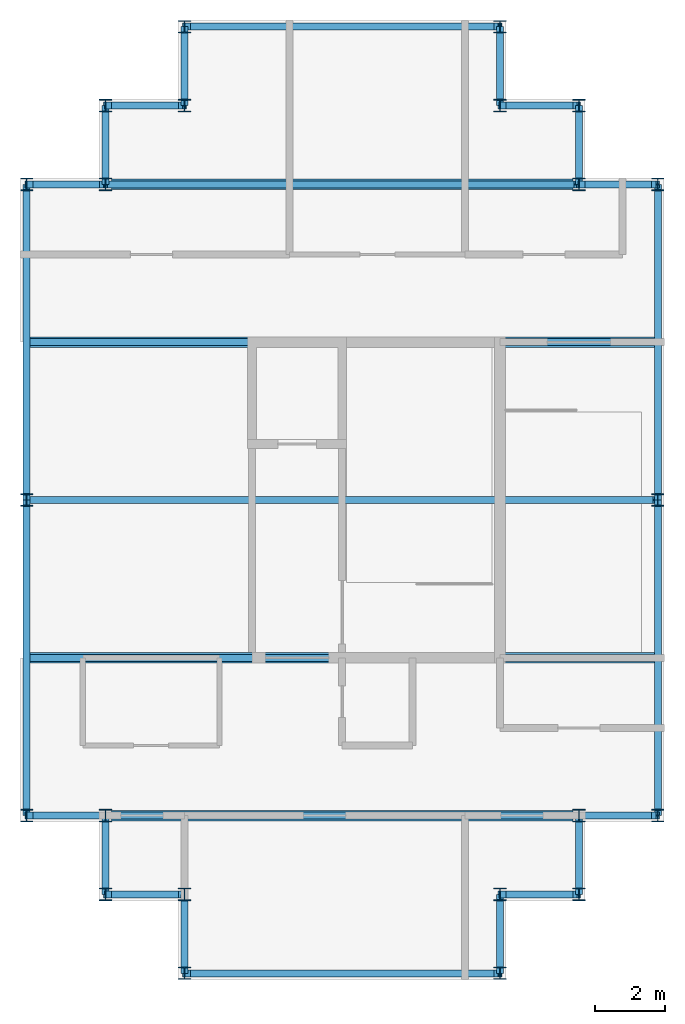
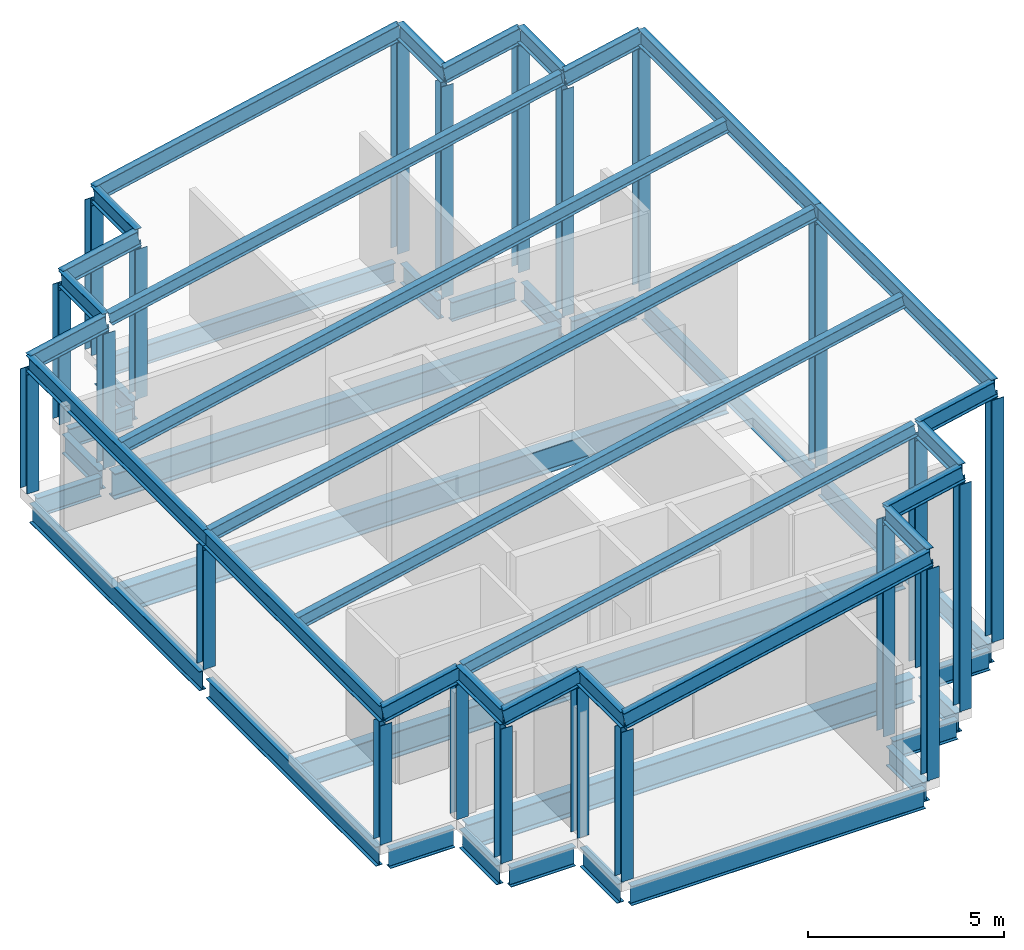
# One storey, part 1 of 4: 48 beams, 22 columns, 5 members.
"""IFC4 building model written with IfcOpenShell, lengths in metres."""

from ifc_helpers import new_model, si_unit, direction, frame, origin, origin_2d, place, context, subcontext, project, spatial, i_section, extrude, material, material_profile, profile_set, type_object, element, save


model = new_model("IFC4")

# Units and contexts
model_context = context("Model", 3, precision=1e-05, world=origin(), true_north=direction((0.0, 1.0)))
body_context = subcontext(model_context, "Body", "Model", "MODEL_VIEW")
ifc_project = project(units=[si_unit("LENGTHUNIT", "METRE"), si_unit("AREAUNIT", "SQUARE_METRE"), si_unit("VOLUMEUNIT", "CUBIC_METRE"), si_unit("PLANEANGLEUNIT", "RADIAN"), si_unit("MASSUNIT", "GRAM", prefix="KILO")], contexts=[model_context])

# Site, building, storey
site_placement = place(None, origin())
site = spatial("IfcSite", under=ifc_project, at=site_placement, CompositionType="ELEMENT")
building_placement = place(site_placement, origin())
building = spatial("IfcBuilding", under=site, at=building_placement, Name="Caravel Reach Hotel and Residences", CompositionType="ELEMENT")
storey_placement = place(building_placement, frame((0.0, 0.0, 329.60009765625)))
storey = spatial("IfcBuildingStorey", under=building, at=storey_placement, Name="L83", CompositionType="ELEMENT", Elevation=329.60009765625)

# Columns
ifc_material_1 = material(Name="Structural steel Q355B", Category="steel")
ifc_material_profile_1 = material_profile(ifc_material_1, i_section(OverallWidth=0.35009765625, OverallDepth=0.35009765625, WebThickness=0.011962890625, FlangeThickness=0.01904296875, FilletRadius=0.012939453125, at=origin_2d()), Name="HW 350x350x12x19")
ifc_profile_set_1 = profile_set([ifc_material_profile_1], Name="Structural steel Q355B")
column_type = type_object("IfcColumnType", Name="Crown column HW 350x350x12x19", PredefinedType="COLUMN", material=ifc_profile_set_1)
for number, where, z_axis, x_axis, name in (
    (1, (45.0, 13.5, 0.0), (0.0, 0.0, 1.0), (1.0, 0.0, 0.0), "C19 column"),
    (2, (45.0, 15.75, 0.0), (0.0, 0.0, 1.0), (1.0, 0.0, 0.0), "C19 column"),
):
    element("IfcColumn", number, at=place(storey_placement, frame(where, z_axis=z_axis, x_axis=x_axis)), inside=storey, type_object=column_type, Name=name, PredefinedType="COLUMN", context=body_context, shape_type="SweptSolid", body=[
        extrude(i_section(OverallWidth=0.35009765625, OverallDepth=0.35009765625, WebThickness=0.011962890625, FlangeThickness=0.01904296875, FilletRadius=0.012939453125, at=origin_2d()), origin(), (0.0, 0.0, 1.0), 6.5693359375),
    ])
for number, where, z_axis, x_axis, name in (
    (3, (47.25, 15.75, 0.0), (0.0, 0.0, 1.0), (1.0, 0.0, 0.0), "C19 column"),
    (4, (47.25, 18.0, 0.0), (0.0, 0.0, 1.0), (1.0, 0.0, 0.0), "C19 column"),
):
    element("IfcColumn", number, at=place(storey_placement, frame(where, z_axis=z_axis, x_axis=x_axis)), inside=storey, type_object=column_type, Name=name, PredefinedType="COLUMN", context=body_context, shape_type="SweptSolid", body=[
        extrude(i_section(OverallWidth=0.35009765625, OverallDepth=0.35009765625, WebThickness=0.011962890625, FlangeThickness=0.01904296875, FilletRadius=0.012939453125, at=origin_2d()), origin(), (0.0, 0.0, 1.0), 7.047607421875),
    ])
for number, where, z_axis, x_axis, name in (
    (5, (49.5, 18.0, 0.0), (0.0, 0.0, 1.0), (1.0, 0.0, 0.0), "C19 column"),
    (6, (49.5, 27.0, 0.0), (0.0, 0.0, 1.0), (1.0, 0.0, 0.0), "C19 column"),
    (7, (49.5, 36.0, 0.0), (0.0, 0.0, 1.0), (1.0, 0.0, 0.0), "C19 column"),
):
    element("IfcColumn", number, at=place(storey_placement, frame(where, z_axis=z_axis, x_axis=x_axis)), inside=storey, type_object=column_type, Name=name, PredefinedType="COLUMN", context=body_context, shape_type="SweptSolid", body=[
        extrude(i_section(OverallWidth=0.35009765625, OverallDepth=0.35009765625, WebThickness=0.011962890625, FlangeThickness=0.01904296875, FilletRadius=0.012939453125, at=origin_2d()), origin(), (0.0, 0.0, 1.0), 7.52587890625),
    ])
for number, where, z_axis, x_axis, name in (
    (8, (47.25, 36.0, 0.0), (0.0, 0.0, 1.0), (1.0, 0.0, 0.0), "C19 column"),
    (9, (47.25, 38.25, 0.0), (0.0, 0.0, 1.0), (1.0, 0.0, 0.0), "C19 column"),
):
    element("IfcColumn", number, at=place(storey_placement, frame(where, z_axis=z_axis, x_axis=x_axis)), inside=storey, type_object=column_type, Name=name, PredefinedType="COLUMN", context=body_context, shape_type="SweptSolid", body=[
        extrude(i_section(OverallWidth=0.35009765625, OverallDepth=0.35009765625, WebThickness=0.011962890625, FlangeThickness=0.01904296875, FilletRadius=0.012939453125, at=origin_2d()), origin(), (0.0, 0.0, 1.0), 7.047607421875),
    ])
for number, where, z_axis, x_axis, name in (
    (10, (45.0, 38.25, 0.0), (0.0, 0.0, 1.0), (1.0, 0.0, 0.0), "C19 column"),
    (11, (45.0, 40.5, 0.0), (0.0, 0.0, 1.0), (1.0, 0.0, 0.0), "C19 column"),
):
    element("IfcColumn", number, at=place(storey_placement, frame(where, z_axis=z_axis, x_axis=x_axis)), inside=storey, type_object=column_type, Name=name, PredefinedType="COLUMN", context=body_context, shape_type="SweptSolid", body=[
        extrude(i_section(OverallWidth=0.35009765625, OverallDepth=0.35009765625, WebThickness=0.011962890625, FlangeThickness=0.01904296875, FilletRadius=0.012939453125, at=origin_2d()), origin(), (0.0, 0.0, 1.0), 6.5693359375),
    ])
for number, where, z_axis, x_axis, name in (
    (12, (36.0, 40.5, 0.0), (0.0, 0.0, 1.0), (1.0, 0.0, 0.0), "C19 column"),
    (13, (36.0, 38.25, 0.0), (0.0, 0.0, 1.0), (1.0, 0.0, 0.0), "C19 column"),
):
    element("IfcColumn", number, at=place(storey_placement, frame(where, z_axis=z_axis, x_axis=x_axis)), inside=storey, type_object=column_type, Name=name, PredefinedType="COLUMN", context=body_context, shape_type="SweptSolid", body=[
        extrude(i_section(OverallWidth=0.35009765625, OverallDepth=0.35009765625, WebThickness=0.011962890625, FlangeThickness=0.01904296875, FilletRadius=0.012939453125, at=origin_2d()), origin(), (0.0, 0.0, 1.0), 4.656494140625),
    ])
for number, where, z_axis, x_axis, name in (
    (14, (33.75, 38.25, 0.0), (0.0, 0.0, 1.0), (1.0, 0.0, 0.0), "C19 column"),
    (15, (33.75, 36.0, 0.0), (0.0, 0.0, 1.0), (1.0, 0.0, 0.0), "C19 column"),
):
    element("IfcColumn", number, at=place(storey_placement, frame(where, z_axis=z_axis, x_axis=x_axis)), inside=storey, type_object=column_type, Name=name, PredefinedType="COLUMN", context=body_context, shape_type="SweptSolid", body=[
        extrude(i_section(OverallWidth=0.35009765625, OverallDepth=0.35009765625, WebThickness=0.011962890625, FlangeThickness=0.01904296875, FilletRadius=0.012939453125, at=origin_2d()), origin(), (0.0, 0.0, 1.0), 4.17822265625),
    ])
for number, where, z_axis, x_axis, name in (
    (16, (31.5, 36.0, 0.0), (0.0, 0.0, 1.0), (1.0, 0.0, 0.0), "C19 column"),
    (17, (31.5, 27.0, 0.0), (0.0, 0.0, 1.0), (1.0, 0.0, 0.0), "C19 column"),
    (18, (31.5, 18.0, 0.0), (0.0, 0.0, 1.0), (1.0, 0.0, 0.0), "C19 column"),
):
    element("IfcColumn", number, at=place(storey_placement, frame(where, z_axis=z_axis, x_axis=x_axis)), inside=storey, type_object=column_type, Name=name, PredefinedType="COLUMN", context=body_context, shape_type="SweptSolid", body=[
        extrude(i_section(OverallWidth=0.35009765625, OverallDepth=0.35009765625, WebThickness=0.011962890625, FlangeThickness=0.01904296875, FilletRadius=0.012939453125, at=origin_2d()), origin(), (0.0, 0.0, 1.0), 3.699951171875),
    ])
for number, where, z_axis, x_axis, name in (
    (19, (33.75, 18.0, 0.0), (0.0, 0.0, 1.0), (1.0, 0.0, 0.0), "C19 column"),
    (20, (33.75, 15.75, 0.0), (0.0, 0.0, 1.0), (1.0, 0.0, 0.0), "C19 column"),
):
    element("IfcColumn", number, at=place(storey_placement, frame(where, z_axis=z_axis, x_axis=x_axis)), inside=storey, type_object=column_type, Name=name, PredefinedType="COLUMN", context=body_context, shape_type="SweptSolid", body=[
        extrude(i_section(OverallWidth=0.35009765625, OverallDepth=0.35009765625, WebThickness=0.011962890625, FlangeThickness=0.01904296875, FilletRadius=0.012939453125, at=origin_2d()), origin(), (0.0, 0.0, 1.0), 4.17822265625),
    ])
for number, where, z_axis, x_axis, name in (
    (21, (36.0, 15.75, 0.0), (0.0, 0.0, 1.0), (1.0, 0.0, 0.0), "C19 column"),
    (22, (36.0, 13.5, 0.0), (0.0, 0.0, 1.0), (1.0, 0.0, 0.0), "C19 column"),
):
    element("IfcColumn", number, at=place(storey_placement, frame(where, z_axis=z_axis, x_axis=x_axis)), inside=storey, type_object=column_type, Name=name, PredefinedType="COLUMN", context=body_context, shape_type="SweptSolid", body=[
        extrude(i_section(OverallWidth=0.35009765625, OverallDepth=0.35009765625, WebThickness=0.011962890625, FlangeThickness=0.01904296875, FilletRadius=0.012939453125, at=origin_2d()), origin(), (0.0, 0.0, 1.0), 4.656494140625),
    ])

# Beams
ifc_material_2 = material(Name="Structural steel Q355B", Category="steel")
ifc_material_profile_2 = material_profile(ifc_material_2, i_section(OverallWidth=0.300048828125, OverallDepth=0.800048828125, WebThickness=0.013916015625, FlangeThickness=0.02587890625, FilletRadius=0.01806640625, at=origin_2d()), Name="HN 800x300x14x26")
ifc_profile_set_2 = profile_set([ifc_material_profile_2], Name="Structural steel Q355B")
beam_type_1 = type_object("IfcBeamType", Name="Beam HN 800x300x14x26", PredefinedType="BEAM", material=ifc_profile_set_2)
beam_1_placement = place(storey_placement, frame((33.925048828125, 18.0, -0.7001953125), z_axis=(1.0, 0.0, 0.0), x_axis=(0.0, 1.0, 0.0)))
element("IfcBeam", 23, at=beam_1_placement, inside=storey, type_object=beam_type_1, Name="B4 HN 800x300x14x26", PredefinedType="BEAM", context=body_context, shape_type="SweptSolid", body=[
    extrude(i_section(OverallWidth=0.300048828125, OverallDepth=0.800048828125, WebThickness=0.013916015625, FlangeThickness=0.02587890625, FilletRadius=0.01806640625, at=origin_2d()), origin(), (0.0, 0.0, 1.0), 13.14990234375),
])
for number, where, z_axis, x_axis, name in (
    (24, (31.60009765625, 22.5, -0.7001953125), (1.0, 0.0, 0.0), (0.0, 1.0, 0.0), "B4 HN 800x300x14x26"),
    (25, (31.60009765625, 31.5, -0.7001953125), (1.0, 0.0, 0.0), (0.0, 1.0, 0.0), "B4 HN 800x300x14x26"),
):
    element("IfcBeam", number, at=place(storey_placement, frame(where, z_axis=z_axis, x_axis=x_axis)), inside=storey, type_object=beam_type_1, Name=name, PredefinedType="BEAM", context=body_context, shape_type="SweptSolid", body=[
        extrude(i_section(OverallWidth=0.300048828125, OverallDepth=0.800048828125, WebThickness=0.013916015625, FlangeThickness=0.02587890625, FilletRadius=0.01806640625, at=origin_2d()), origin(), (0.0, 0.0, 1.0), 17.7998046875),
    ])
beam_2_placement = place(storey_placement, frame((33.925048828125, 36.0, -0.7001953125), z_axis=(1.0, 0.0, 0.0), x_axis=(0.0, 1.0, 0.0)))
element("IfcBeam", 26, at=beam_2_placement, inside=storey, type_object=beam_type_1, Name="B4 HN 800x300x14x26", PredefinedType="BEAM", context=body_context, shape_type="SweptSolid", body=[
    extrude(i_section(OverallWidth=0.300048828125, OverallDepth=0.800048828125, WebThickness=0.013916015625, FlangeThickness=0.02587890625, FilletRadius=0.01806640625, at=origin_2d()), origin(), (0.0, 0.0, 1.0), 13.14990234375),
])
ifc_material_3 = material(Name="Structural steel Q355B", Category="steel")
ifc_material_profile_3 = material_profile(ifc_material_3, i_section(OverallWidth=0.199951171875, OverallDepth=0.5, WebThickness=0.010009765625, FlangeThickness=0.01611328125, FilletRadius=0.012939453125, at=origin_2d()), Name="HN 500x200x10x16")
ifc_profile_set_3 = profile_set([ifc_material_profile_3], Name="Structural steel Q355B")
beam_type_2 = type_object("IfcBeamType", Name="Edge beam HN 500x200x10x16", PredefinedType="USERDEFINED", material=ifc_profile_set_3)
beam_3_placement = place(storey_placement, frame((45.0, 13.5, 6.8193359375), z_axis=(0.0, 1.0, 0.0), x_axis=(-1.0, 0.0, 0.0)))
element("IfcBeam", 27, at=beam_3_placement, inside=storey, type_object=beam_type_2, Name="EB3 HN 500x200x10x16", ObjectType="Edge beam", PredefinedType="USERDEFINED", context=body_context, shape_type="SweptSolid", body=[
    extrude(i_section(OverallWidth=0.199951171875, OverallDepth=0.5, WebThickness=0.010009765625, FlangeThickness=0.01611328125, FilletRadius=0.012939453125, at=origin_2d()), origin(), (0.0, 0.0, 1.0), 2.25),
])
beam_4_placement = place(storey_placement, frame((45.0, 15.75, 6.8193359375), z_axis=(0.978145901394, 0.0, 0.20791968542), x_axis=(0.0, 1.0, 0.0)))
element("IfcBeam", 28, at=beam_4_placement, inside=storey, type_object=beam_type_2, Name="EB3 HN 500x200x10x16", ObjectType="Edge beam", PredefinedType="USERDEFINED", context=body_context, shape_type="SweptSolid", body=[
    extrude(i_section(OverallWidth=0.199951171875, OverallDepth=0.5, WebThickness=0.010009765625, FlangeThickness=0.01611328125, FilletRadius=0.012939453125, at=origin_2d()), origin(), (0.0, 0.0, 1.0), 2.30029296875),
])
beam_5_placement = place(storey_placement, frame((47.25, 15.75, 7.297607421875), z_axis=(0.0, 1.0, 0.0), x_axis=(-1.0, 0.0, 0.0)))
element("IfcBeam", 29, at=beam_5_placement, inside=storey, type_object=beam_type_2, Name="EB3 HN 500x200x10x16", ObjectType="Edge beam", PredefinedType="USERDEFINED", context=body_context, shape_type="SweptSolid", body=[
    extrude(i_section(OverallWidth=0.199951171875, OverallDepth=0.5, WebThickness=0.010009765625, FlangeThickness=0.01611328125, FilletRadius=0.012939453125, at=origin_2d()), origin(), (0.0, 0.0, 1.0), 2.25),
])
beam_6_placement = place(storey_placement, frame((47.25, 18.0, 7.297607421875), z_axis=(0.978145901394, 0.0, 0.20791968542), x_axis=(0.0, 1.0, 0.0)))
element("IfcBeam", 30, at=beam_6_placement, inside=storey, type_object=beam_type_2, Name="EB3 HN 500x200x10x16", ObjectType="Edge beam", PredefinedType="USERDEFINED", context=body_context, shape_type="SweptSolid", body=[
    extrude(i_section(OverallWidth=0.199951171875, OverallDepth=0.5, WebThickness=0.010009765625, FlangeThickness=0.01611328125, FilletRadius=0.012939453125, at=origin_2d()), origin(), (0.0, 0.0, 1.0), 2.30029296875),
])
for number, where, z_axis, x_axis, name in (
    (31, (49.5, 18.0, 7.77587890625), (0.0, 1.0, 0.0), (-1.0, 0.0, 0.0), "EB3 HN 500x200x10x16"),
    (32, (49.5, 27.0, 7.77587890625), (0.0, 1.0, 0.0), (-1.0, 0.0, 0.0), "EB3 HN 500x200x10x16"),
):
    element("IfcBeam", number, at=place(storey_placement, frame(where, z_axis=z_axis, x_axis=x_axis)), inside=storey, type_object=beam_type_2, Name=name, ObjectType="Edge beam", PredefinedType="USERDEFINED", context=body_context, shape_type="SweptSolid", body=[
        extrude(i_section(OverallWidth=0.199951171875, OverallDepth=0.5, WebThickness=0.010009765625, FlangeThickness=0.01611328125, FilletRadius=0.012939453125, at=origin_2d()), origin(), (0.0, 0.0, 1.0), 9.0),
    ])
beam_7_placement = place(storey_placement, frame((49.5, 36.0, 7.77587890625), z_axis=(-0.978145901394, 0.0, -0.20791968542), x_axis=(0.0, -1.0, 0.0)))
element("IfcBeam", 33, at=beam_7_placement, inside=storey, type_object=beam_type_2, Name="EB3 HN 500x200x10x16", ObjectType="Edge beam", PredefinedType="USERDEFINED", context=body_context, shape_type="SweptSolid", body=[
    extrude(i_section(OverallWidth=0.199951171875, OverallDepth=0.5, WebThickness=0.010009765625, FlangeThickness=0.01611328125, FilletRadius=0.012939453125, at=origin_2d()), origin(), (0.0, 0.0, 1.0), 2.30029296875),
])
beam_8_placement = place(storey_placement, frame((47.25, 36.0, 7.297607421875), z_axis=(0.0, 1.0, 0.0), x_axis=(-1.0, 0.0, 0.0)))
element("IfcBeam", 34, at=beam_8_placement, inside=storey, type_object=beam_type_2, Name="EB3 HN 500x200x10x16", ObjectType="Edge beam", PredefinedType="USERDEFINED", context=body_context, shape_type="SweptSolid", body=[
    extrude(i_section(OverallWidth=0.199951171875, OverallDepth=0.5, WebThickness=0.010009765625, FlangeThickness=0.01611328125, FilletRadius=0.012939453125, at=origin_2d()), origin(), (0.0, 0.0, 1.0), 2.25),
])
beam_9_placement = place(storey_placement, frame((47.25, 38.25, 7.297607421875), z_axis=(-0.978145901394, 0.0, -0.20791968542), x_axis=(0.0, -1.0, 0.0)))
element("IfcBeam", 35, at=beam_9_placement, inside=storey, type_object=beam_type_2, Name="EB3 HN 500x200x10x16", ObjectType="Edge beam", PredefinedType="USERDEFINED", context=body_context, shape_type="SweptSolid", body=[
    extrude(i_section(OverallWidth=0.199951171875, OverallDepth=0.5, WebThickness=0.010009765625, FlangeThickness=0.01611328125, FilletRadius=0.012939453125, at=origin_2d()), origin(), (0.0, 0.0, 1.0), 2.30029296875),
])
beam_10_placement = place(storey_placement, frame((45.0, 38.25, 6.8193359375), z_axis=(0.0, 1.0, 0.0), x_axis=(-1.0, 0.0, 0.0)))
element("IfcBeam", 36, at=beam_10_placement, inside=storey, type_object=beam_type_2, Name="EB3 HN 500x200x10x16", ObjectType="Edge beam", PredefinedType="USERDEFINED", context=body_context, shape_type="SweptSolid", body=[
    extrude(i_section(OverallWidth=0.199951171875, OverallDepth=0.5, WebThickness=0.010009765625, FlangeThickness=0.01611328125, FilletRadius=0.012939453125, at=origin_2d()), origin(), (0.0, 0.0, 1.0), 2.25),
])
beam_11_placement = place(storey_placement, frame((45.0, 40.5, 6.8193359375), z_axis=(-0.978151297449, 0.0, -0.207894298381), x_axis=(0.0, -1.0, 0.0)))
element("IfcBeam", 37, at=beam_11_placement, inside=storey, type_object=beam_type_2, Name="EB3 HN 500x200x10x16", ObjectType="Edge beam", PredefinedType="USERDEFINED", context=body_context, shape_type="SweptSolid", body=[
    extrude(i_section(OverallWidth=0.199951171875, OverallDepth=0.5, WebThickness=0.010009765625, FlangeThickness=0.01611328125, FilletRadius=0.012939453125, at=origin_2d()), origin(), (0.0, 0.0, 1.0), 9.200927734375),
])
beam_12_placement = place(storey_placement, frame((36.0, 40.5, 4.906494140625), z_axis=(0.0, -1.0, 0.0), x_axis=(1.0, 0.0, 0.0)))
element("IfcBeam", 38, at=beam_12_placement, inside=storey, type_object=beam_type_2, Name="EB3 HN 500x200x10x16", ObjectType="Edge beam", PredefinedType="USERDEFINED", context=body_context, shape_type="SweptSolid", body=[
    extrude(i_section(OverallWidth=0.199951171875, OverallDepth=0.5, WebThickness=0.010009765625, FlangeThickness=0.01611328125, FilletRadius=0.012939453125, at=origin_2d()), origin(), (0.0, 0.0, 1.0), 2.25),
])
beam_13_placement = place(storey_placement, frame((36.0, 38.25, 4.906494140625), z_axis=(-0.978145901394, 0.0, -0.20791968542), x_axis=(0.0, -1.0, 0.0)))
element("IfcBeam", 39, at=beam_13_placement, inside=storey, type_object=beam_type_2, Name="EB3 HN 500x200x10x16", ObjectType="Edge beam", PredefinedType="USERDEFINED", context=body_context, shape_type="SweptSolid", body=[
    extrude(i_section(OverallWidth=0.199951171875, OverallDepth=0.5, WebThickness=0.010009765625, FlangeThickness=0.01611328125, FilletRadius=0.012939453125, at=origin_2d()), origin(), (0.0, 0.0, 1.0), 2.30029296875),
])
beam_14_placement = place(storey_placement, frame((33.75, 38.25, 4.42822265625), z_axis=(0.0, -1.0, 0.0), x_axis=(1.0, 0.0, 0.0)))
element("IfcBeam", 40, at=beam_14_placement, inside=storey, type_object=beam_type_2, Name="EB3 HN 500x200x10x16", ObjectType="Edge beam", PredefinedType="USERDEFINED", context=body_context, shape_type="SweptSolid", body=[
    extrude(i_section(OverallWidth=0.199951171875, OverallDepth=0.5, WebThickness=0.010009765625, FlangeThickness=0.01611328125, FilletRadius=0.012939453125, at=origin_2d()), origin(), (0.0, 0.0, 1.0), 2.25),
])
beam_15_placement = place(storey_placement, frame((33.75, 36.0, 4.42822265625), z_axis=(-0.978145901394, 0.0, -0.20791968542), x_axis=(0.0, -1.0, 0.0)))
element("IfcBeam", 41, at=beam_15_placement, inside=storey, type_object=beam_type_2, Name="EB3 HN 500x200x10x16", ObjectType="Edge beam", PredefinedType="USERDEFINED", context=body_context, shape_type="SweptSolid", body=[
    extrude(i_section(OverallWidth=0.199951171875, OverallDepth=0.5, WebThickness=0.010009765625, FlangeThickness=0.01611328125, FilletRadius=0.012939453125, at=origin_2d()), origin(), (0.0, 0.0, 1.0), 2.30029296875),
])
for number, where, z_axis, x_axis, name in (
    (42, (31.5, 36.0, 3.949951171875), (0.0, -1.0, 0.0), (1.0, 0.0, 0.0), "EB3 HN 500x200x10x16"),
    (43, (31.5, 27.0, 3.949951171875), (0.0, -1.0, 0.0), (1.0, 0.0, 0.0), "EB3 HN 500x200x10x16"),
):
    element("IfcBeam", number, at=place(storey_placement, frame(where, z_axis=z_axis, x_axis=x_axis)), inside=storey, type_object=beam_type_2, Name=name, ObjectType="Edge beam", PredefinedType="USERDEFINED", context=body_context, shape_type="SweptSolid", body=[
        extrude(i_section(OverallWidth=0.199951171875, OverallDepth=0.5, WebThickness=0.010009765625, FlangeThickness=0.01611328125, FilletRadius=0.012939453125, at=origin_2d()), origin(), (0.0, 0.0, 1.0), 9.0),
    ])
beam_16_placement = place(storey_placement, frame((31.5, 18.0, 3.949951171875), z_axis=(0.978145901394, 0.0, 0.20791968542), x_axis=(0.0, 1.0, 0.0)))
element("IfcBeam", 44, at=beam_16_placement, inside=storey, type_object=beam_type_2, Name="EB3 HN 500x200x10x16", ObjectType="Edge beam", PredefinedType="USERDEFINED", context=body_context, shape_type="SweptSolid", body=[
    extrude(i_section(OverallWidth=0.199951171875, OverallDepth=0.5, WebThickness=0.010009765625, FlangeThickness=0.01611328125, FilletRadius=0.012939453125, at=origin_2d()), origin(), (0.0, 0.0, 1.0), 2.30029296875),
])
beam_17_placement = place(storey_placement, frame((33.75, 18.0, 4.42822265625), z_axis=(0.0, -1.0, 0.0), x_axis=(1.0, 0.0, 0.0)))
element("IfcBeam", 45, at=beam_17_placement, inside=storey, type_object=beam_type_2, Name="EB3 HN 500x200x10x16", ObjectType="Edge beam", PredefinedType="USERDEFINED", context=body_context, shape_type="SweptSolid", body=[
    extrude(i_section(OverallWidth=0.199951171875, OverallDepth=0.5, WebThickness=0.010009765625, FlangeThickness=0.01611328125, FilletRadius=0.012939453125, at=origin_2d()), origin(), (0.0, 0.0, 1.0), 2.25),
])
beam_18_placement = place(storey_placement, frame((33.75, 15.75, 4.42822265625), z_axis=(0.978145901394, 0.0, 0.20791968542), x_axis=(0.0, 1.0, 0.0)))
element("IfcBeam", 46, at=beam_18_placement, inside=storey, type_object=beam_type_2, Name="EB3 HN 500x200x10x16", ObjectType="Edge beam", PredefinedType="USERDEFINED", context=body_context, shape_type="SweptSolid", body=[
    extrude(i_section(OverallWidth=0.199951171875, OverallDepth=0.5, WebThickness=0.010009765625, FlangeThickness=0.01611328125, FilletRadius=0.012939453125, at=origin_2d()), origin(), (0.0, 0.0, 1.0), 2.30029296875),
])
beam_19_placement = place(storey_placement, frame((36.0, 15.75, 4.906494140625), z_axis=(0.0, -1.0, 0.0), x_axis=(1.0, 0.0, 0.0)))
element("IfcBeam", 47, at=beam_19_placement, inside=storey, type_object=beam_type_2, Name="EB3 HN 500x200x10x16", ObjectType="Edge beam", PredefinedType="USERDEFINED", context=body_context, shape_type="SweptSolid", body=[
    extrude(i_section(OverallWidth=0.199951171875, OverallDepth=0.5, WebThickness=0.010009765625, FlangeThickness=0.01611328125, FilletRadius=0.012939453125, at=origin_2d()), origin(), (0.0, 0.0, 1.0), 2.25),
])
beam_20_placement = place(storey_placement, frame((36.0, 13.5, 4.906494140625), z_axis=(0.978151297449, 0.0, 0.207894298381), x_axis=(0.0, 1.0, 0.0)))
element("IfcBeam", 48, at=beam_20_placement, inside=storey, type_object=beam_type_2, Name="EB3 HN 500x200x10x16", ObjectType="Edge beam", PredefinedType="USERDEFINED", context=body_context, shape_type="SweptSolid", body=[
    extrude(i_section(OverallWidth=0.199951171875, OverallDepth=0.5, WebThickness=0.010009765625, FlangeThickness=0.01611328125, FilletRadius=0.012939453125, at=origin_2d()), origin(), (0.0, 0.0, 1.0), 9.200927734375),
])

# Members
ifc_material_4 = material(Name="Structural steel Q355B", Category="steel")
ifc_material_profile_4 = material_profile(ifc_material_4, i_section(OverallWidth=0.199951171875, OverallDepth=0.39990234375, WebThickness=0.008056640625, FlangeThickness=0.012939453125, FilletRadius=0.012939453125, at=origin_2d()), Name="HN 400x200x8x13")
ifc_profile_set_4 = profile_set([ifc_material_profile_4], Name="Structural steel Q355B")
member_type = type_object("IfcMemberType", Name="Rafter HN 400x200x8x13", PredefinedType="RAFTER", material=ifc_profile_set_4)
member_1_placement = place(storey_placement, frame((33.85009765625, 18.0, 4.49951171875), z_axis=(0.97814844517, 0.0, 0.207907718016), x_axis=(0.0, 1.0, 0.0)))
element("IfcMember", 49, at=member_1_placement, inside=storey, type_object=member_type, Name="B6 rafter", PredefinedType="RAFTER", context=body_context, shape_type="SweptSolid", body=[
    extrude(i_section(OverallWidth=0.199951171875, OverallDepth=0.39990234375, WebThickness=0.008056640625, FlangeThickness=0.012939453125, FilletRadius=0.012939453125, at=origin_2d()), origin(), (0.0, 0.0, 1.0), 13.596923828125),
])
for number, where, z_axis, x_axis, name in (
    (50, (31.60009765625, 22.5, 4.021240234375), (0.978147802087, 0.0, 0.207910743525), (0.0, 1.0, 0.0), "B6 rafter"),
    (51, (31.60009765625, 27.0, 4.021240234375), (0.978147802087, 0.0, 0.207910743525), (0.0, 1.0, 0.0), "B6 rafter"),
    (52, (31.60009765625, 31.5, 4.021240234375), (0.978147802087, 0.0, 0.207910743525), (0.0, 1.0, 0.0), "B6 rafter"),
):
    element("IfcMember", number, at=place(storey_placement, frame(where, z_axis=z_axis, x_axis=x_axis)), inside=storey, type_object=member_type, Name=name, PredefinedType="RAFTER", context=body_context, shape_type="SweptSolid", body=[
        extrude(i_section(OverallWidth=0.199951171875, OverallDepth=0.39990234375, WebThickness=0.008056640625, FlangeThickness=0.012939453125, FilletRadius=0.012939453125, at=origin_2d()), origin(), (0.0, 0.0, 1.0), 18.197509765625),
    ])
member_2_placement = place(storey_placement, frame((33.85009765625, 36.0, 4.49951171875), z_axis=(0.97814844517, 0.0, 0.207907718016), x_axis=(0.0, 1.0, 0.0)))
element("IfcMember", 53, at=member_2_placement, inside=storey, type_object=member_type, Name="B6 rafter", PredefinedType="RAFTER", context=body_context, shape_type="SweptSolid", body=[
    extrude(i_section(OverallWidth=0.199951171875, OverallDepth=0.39990234375, WebThickness=0.008056640625, FlangeThickness=0.012939453125, FilletRadius=0.012939453125, at=origin_2d()), origin(), (0.0, 0.0, 1.0), 13.596923828125),
])

# Beams
ifc_material_5 = material(Name="Structural steel Q355B", Category="steel")
ifc_material_profile_5 = material_profile(ifc_material_5, i_section(OverallWidth=0.199951171875, OverallDepth=0.60009765625, WebThickness=0.010986328125, FlangeThickness=0.01708984375, FilletRadius=0.012939453125, at=origin_2d()), Name="HN 600x200x11x17")
ifc_profile_set_5 = profile_set([ifc_material_profile_5], Name="Structural steel Q355B")
beam_type_3 = type_object("IfcBeamType", Name="Spandrel beam HN 600x200x11x17", PredefinedType="SPANDREL", material=ifc_profile_set_5)
for number, where, z_axis, x_axis, name in (
    (54, (45.0, 13.675048828125, -0.60009765625), (0.0, 1.0, 0.0), (-1.0, 0.0, 0.0), "SP1 HN 600x200x11x17"),
    (55, (45.175048828125, 15.75, -0.60009765625), (1.0, 0.0, 0.0), (0.0, 1.0, 0.0), "SP1 HN 600x200x11x17"),
    (56, (47.25, 15.925048828125, -0.60009765625), (0.0, 1.0, 0.0), (-1.0, 0.0, 0.0), "SP1 HN 600x200x11x17"),
    (57, (47.425048828125, 18.0, -0.60009765625), (1.0, 0.0, 0.0), (0.0, 1.0, 0.0), "SP1 HN 600x200x11x17"),
):
    element("IfcBeam", number, at=place(storey_placement, frame(where, z_axis=z_axis, x_axis=x_axis)), inside=storey, type_object=beam_type_3, Name=name, PredefinedType="SPANDREL", context=body_context, shape_type="SweptSolid", body=[
        extrude(i_section(OverallWidth=0.199951171875, OverallDepth=0.60009765625, WebThickness=0.010986328125, FlangeThickness=0.01708984375, FilletRadius=0.012939453125, at=origin_2d()), origin(), (0.0, 0.0, 1.0), 1.89990234375),
    ])
for number, where, z_axis, x_axis, name in (
    (58, (49.5, 18.175048828125, -0.60009765625), (0.0, 1.0, 0.0), (-1.0, 0.0, 0.0), "SP1 HN 600x200x11x17"),
    (59, (49.5, 27.175048828125, -0.60009765625), (0.0, 1.0, 0.0), (-1.0, 0.0, 0.0), "SP1 HN 600x200x11x17"),
):
    element("IfcBeam", number, at=place(storey_placement, frame(where, z_axis=z_axis, x_axis=x_axis)), inside=storey, type_object=beam_type_3, Name=name, PredefinedType="SPANDREL", context=body_context, shape_type="SweptSolid", body=[
        extrude(i_section(OverallWidth=0.199951171875, OverallDepth=0.60009765625, WebThickness=0.010986328125, FlangeThickness=0.01708984375, FilletRadius=0.012939453125, at=origin_2d()), origin(), (0.0, 0.0, 1.0), 8.64990234375),
    ])
for number, where, z_axis, x_axis, name in (
    (60, (49.324951171875, 36.0, -0.60009765625), (-1.0, 0.0, 0.0), (0.0, -1.0, 0.0), "SP1 HN 600x200x11x17"),
    (61, (47.25, 36.175048828125, -0.60009765625), (0.0, 1.0, 0.0), (-1.0, 0.0, 0.0), "SP1 HN 600x200x11x17"),
    (62, (47.074951171875, 38.25, -0.60009765625), (-1.0, 0.0, 0.0), (0.0, -1.0, 0.0), "SP1 HN 600x200x11x17"),
    (63, (45.0, 38.425048828125, -0.60009765625), (0.0, 1.0, 0.0), (-1.0, 0.0, 0.0), "SP1 HN 600x200x11x17"),
):
    element("IfcBeam", number, at=place(storey_placement, frame(where, z_axis=z_axis, x_axis=x_axis)), inside=storey, type_object=beam_type_3, Name=name, PredefinedType="SPANDREL", context=body_context, shape_type="SweptSolid", body=[
        extrude(i_section(OverallWidth=0.199951171875, OverallDepth=0.60009765625, WebThickness=0.010986328125, FlangeThickness=0.01708984375, FilletRadius=0.012939453125, at=origin_2d()), origin(), (0.0, 0.0, 1.0), 1.89990234375),
    ])
beam_21_placement = place(storey_placement, frame((44.824951171875, 40.5, -0.60009765625), z_axis=(-1.0, 0.0, 0.0), x_axis=(0.0, -1.0, 0.0)))
element("IfcBeam", 64, at=beam_21_placement, inside=storey, type_object=beam_type_3, Name="SP1 HN 600x200x11x17", PredefinedType="SPANDREL", context=body_context, shape_type="SweptSolid", body=[
    extrude(i_section(OverallWidth=0.199951171875, OverallDepth=0.60009765625, WebThickness=0.010986328125, FlangeThickness=0.01708984375, FilletRadius=0.012939453125, at=origin_2d()), origin(), (0.0, 0.0, 1.0), 8.64990234375),
])
for number, where, z_axis, x_axis, name in (
    (65, (36.0, 40.324951171875, -0.60009765625), (0.0, -1.0, 0.0), (1.0, 0.0, 0.0), "SP1 HN 600x200x11x17"),
    (66, (35.824951171875, 38.25, -0.60009765625), (-1.0, 0.0, 0.0), (0.0, -1.0, 0.0), "SP1 HN 600x200x11x17"),
    (67, (33.75, 38.074951171875, -0.60009765625), (0.0, -1.0, 0.0), (1.0, 0.0, 0.0), "SP1 HN 600x200x11x17"),
    (68, (33.574951171875, 36.0, -0.60009765625), (-1.0, 0.0, 0.0), (0.0, -1.0, 0.0), "SP1 HN 600x200x11x17"),
):
    element("IfcBeam", number, at=place(storey_placement, frame(where, z_axis=z_axis, x_axis=x_axis)), inside=storey, type_object=beam_type_3, Name=name, PredefinedType="SPANDREL", context=body_context, shape_type="SweptSolid", body=[
        extrude(i_section(OverallWidth=0.199951171875, OverallDepth=0.60009765625, WebThickness=0.010986328125, FlangeThickness=0.01708984375, FilletRadius=0.012939453125, at=origin_2d()), origin(), (0.0, 0.0, 1.0), 1.89990234375),
    ])
for number, where, z_axis, x_axis, name in (
    (69, (31.5, 35.824951171875, -0.60009765625), (0.0, -1.0, 0.0), (1.0, 0.0, 0.0), "SP1 HN 600x200x11x17"),
    (70, (31.5, 26.824951171875, -0.60009765625), (0.0, -1.0, 0.0), (1.0, 0.0, 0.0), "SP1 HN 600x200x11x17"),
):
    element("IfcBeam", number, at=place(storey_placement, frame(where, z_axis=z_axis, x_axis=x_axis)), inside=storey, type_object=beam_type_3, Name=name, PredefinedType="SPANDREL", context=body_context, shape_type="SweptSolid", body=[
        extrude(i_section(OverallWidth=0.199951171875, OverallDepth=0.60009765625, WebThickness=0.010986328125, FlangeThickness=0.01708984375, FilletRadius=0.012939453125, at=origin_2d()), origin(), (0.0, 0.0, 1.0), 8.64990234375),
    ])
for number, where, z_axis, x_axis, name in (
    (71, (31.675048828125, 18.0, -0.60009765625), (1.0, 0.0, 0.0), (0.0, 1.0, 0.0), "SP1 HN 600x200x11x17"),
    (72, (33.75, 17.824951171875, -0.60009765625), (0.0, -1.0, 0.0), (1.0, 0.0, 0.0), "SP1 HN 600x200x11x17"),
    (73, (33.925048828125, 15.75, -0.60009765625), (1.0, 0.0, 0.0), (0.0, 1.0, 0.0), "SP1 HN 600x200x11x17"),
    (74, (36.0, 15.574951171875, -0.60009765625), (0.0, -1.0, 0.0), (1.0, 0.0, 0.0), "SP1 HN 600x200x11x17"),
):
    element("IfcBeam", number, at=place(storey_placement, frame(where, z_axis=z_axis, x_axis=x_axis)), inside=storey, type_object=beam_type_3, Name=name, PredefinedType="SPANDREL", context=body_context, shape_type="SweptSolid", body=[
        extrude(i_section(OverallWidth=0.199951171875, OverallDepth=0.60009765625, WebThickness=0.010986328125, FlangeThickness=0.01708984375, FilletRadius=0.012939453125, at=origin_2d()), origin(), (0.0, 0.0, 1.0), 1.89990234375),
    ])
beam_22_placement = place(storey_placement, frame((36.175048828125, 13.5, -0.60009765625), z_axis=(1.0, 0.0, 0.0), x_axis=(0.0, 1.0, 0.0)))
element("IfcBeam", 75, at=beam_22_placement, inside=storey, type_object=beam_type_3, Name="SP1 HN 600x200x11x17", PredefinedType="SPANDREL", context=body_context, shape_type="SweptSolid", body=[
    extrude(i_section(OverallWidth=0.199951171875, OverallDepth=0.60009765625, WebThickness=0.010986328125, FlangeThickness=0.01708984375, FilletRadius=0.012939453125, at=origin_2d()), origin(), (0.0, 0.0, 1.0), 8.64990234375),
])

save(model, "model.ifc")
